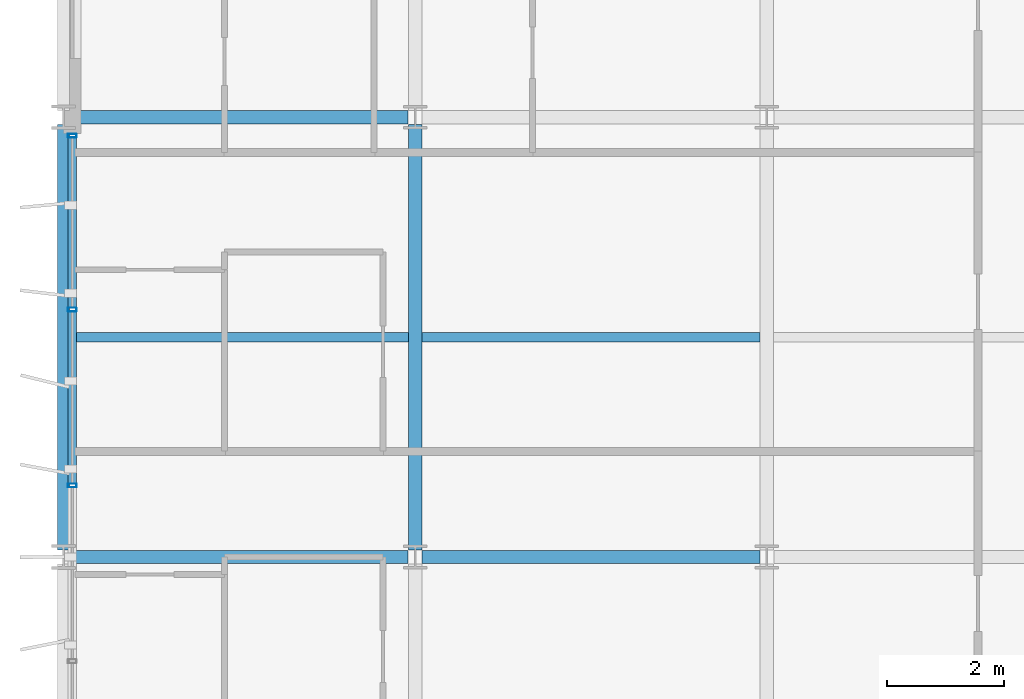
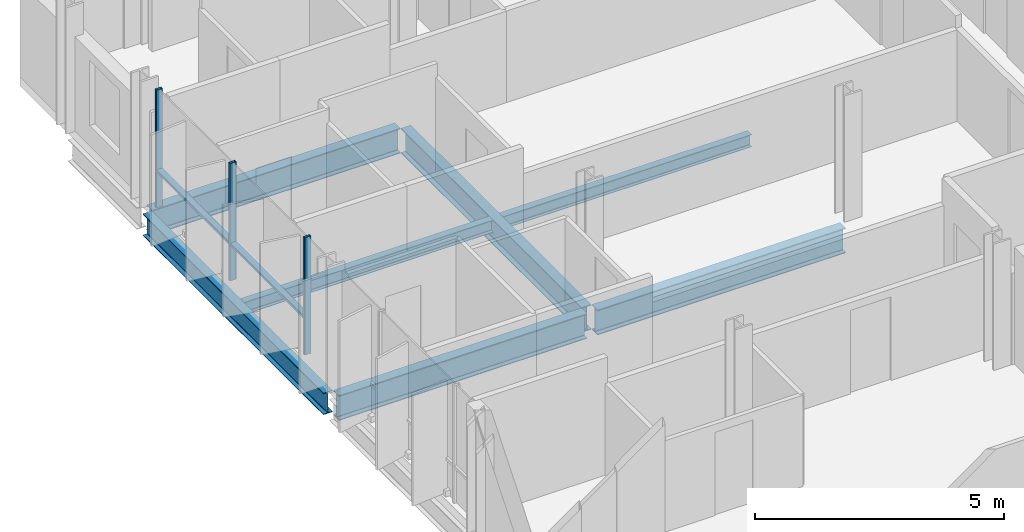
# One storey, part 7 of 39: 7 beams, 5 members, 1 element without a shape of its own.
"""IFC4 building model written with IfcOpenShell, lengths in metres."""

from ifc_helpers import new_model, si_unit, direction, frame, origin, origin_2d, place, context, subcontext, project, spatial, hollow_rectangle, i_section, extrude, material, layer, layer_set, material_profile, profile_set, type_object, element, aggregate, save


model = new_model("IFC4")

# Units and contexts
model_context = context("Model", 3, precision=1e-05, world=origin(), true_north=direction((0.0, 1.0)))
body_context = subcontext(model_context, "Body", "Model", "MODEL_VIEW")
ifc_project = project(units=[si_unit("LENGTHUNIT", "METRE"), si_unit("AREAUNIT", "SQUARE_METRE"), si_unit("VOLUMEUNIT", "CUBIC_METRE"), si_unit("PLANEANGLEUNIT", "RADIAN"), si_unit("MASSUNIT", "GRAM", prefix="KILO")], contexts=[model_context])

# Site, building, storey
site_placement = place(None, origin())
site = spatial("IfcSite", under=ifc_project, at=site_placement, CompositionType="ELEMENT")
building_placement = place(site_placement, origin())
building = spatial("IfcBuilding", under=site, at=building_placement, Name="Brevholm Reach", CompositionType="ELEMENT")
storey_placement = place(building_placement, frame((0.0, 0.0, 154.199951171875)))
storey = spatial("IfcBuildingStorey", under=building, at=storey_placement, Name="L46", CompositionType="ELEMENT", Elevation=154.199951171875)

# Beams
ifc_material_1 = material(Name="Structural Steel S355J2", Category="steel")
ifc_material_profile_1 = material_profile(ifc_material_1, i_section(OverallWidth=0.1650390625, OverallDepth=0.303466796875, WebThickness=0.006103515625, FlangeThickness=0.01025390625, FilletRadius=0.0087890625, at=origin_2d()), Name="UKB 305x165x40")
ifc_profile_set_1 = profile_set([ifc_material_profile_1], Name="Structural Steel S355J2")
beam_type_1 = type_object("IfcBeamType", Name="BM-B305", PredefinedType="BEAM", material=ifc_profile_set_1)
beam_1_placement = place(storey_placement, frame((0.104736328125, 19.75, -0.37158203125), z_axis=(1.0, 0.0, 0.0), x_axis=(0.0, 1.0, 0.0)))
element("IfcBeam", 1, at=beam_1_placement, inside=storey, type_object=beam_type_1, Name="L46 Composite Secondary Floor Beam", PredefinedType="BEAM", context=body_context, shape_type="SweptSolid", body=[
    extrude(i_section(OverallWidth=0.1650390625, OverallDepth=0.303466796875, WebThickness=0.006103515625, FlangeThickness=0.01025390625, FilletRadius=0.0087890625, at=origin_2d()), origin(), (0.0, 0.0, 1.0), 5.78076171875),
])
beam_2_placement = place(storey_placement, frame((6.114501953125, 19.75, -0.37158203125), z_axis=(1.0, 0.0, 0.0), x_axis=(0.0, 1.0, 0.0)))
element("IfcBeam", 2, at=beam_2_placement, inside=storey, type_object=beam_type_1, Name="L46 Composite Secondary Floor Beam", PredefinedType="BEAM", context=body_context, shape_type="SweptSolid", body=[
    extrude(i_section(OverallWidth=0.1650390625, OverallDepth=0.303466796875, WebThickness=0.006103515625, FlangeThickness=0.01025390625, FilletRadius=0.0087890625, at=origin_2d()), origin(), (0.0, 0.0, 1.0), 5.77099609375),
])
ifc_material_2 = material(Name="Structural Steel S355J2", Category="steel")
ifc_material_profile_2 = material_profile(ifc_material_2, i_section(OverallWidth=0.209228515625, OverallDepth=0.533203125, WebThickness=0.010009765625, FlangeThickness=0.015625, FilletRadius=0.0126953125, at=origin_2d()), Name="UKB 533x210x92")
ifc_profile_set_2 = profile_set([ifc_material_profile_2], Name="Structural Steel S355J2")
beam_type_2 = type_object("IfcBeamType", Name="BM-SP533", PredefinedType="SPANDREL", material=ifc_profile_set_2)
beam_3_placement = place(storey_placement, frame((0.0, 16.1201171875, -0.486572265625), z_axis=(0.0, 1.0, 0.0), x_axis=(-1.0, 0.0, 0.0)))
element("IfcBeam", 3, at=beam_3_placement, inside=storey, type_object=beam_type_2, Name="L46 SP-02 Framing Beam", PredefinedType="SPANDREL", context=body_context, shape_type="SweptSolid", body=[
    extrude(i_section(OverallWidth=0.209228515625, OverallDepth=0.533203125, WebThickness=0.010009765625, FlangeThickness=0.015625, FilletRadius=0.0126953125, at=origin_2d()), origin(), (0.0, 0.0, 1.0), 7.259765625),
])
ifc_material_3 = material(Name="Structural Steel S355J2", Category="steel")
ifc_material_profile_3 = material_profile(ifc_material_3, i_section(OverallWidth=0.22900390625, OverallDepth=0.6123046875, WebThickness=0.011962890625, FlangeThickness=0.01953125, FilletRadius=0.0126953125, at=origin_2d()), Name="UKB 610x229x125")
ifc_profile_set_3 = profile_set([ifc_material_profile_3], Name="Structural Steel S355J2")
beam_type_3 = type_object("IfcBeamType", Name="BM-SP610", PredefinedType="SPANDREL", material=ifc_profile_set_3)
for number, where, z_axis, x_axis, name in (
    (4, (0.1201171875, 16.0, -0.526123046875), (1.0, 0.0, 0.0), (0.0, 1.0, 0.0), "L46 SP-01 Framing Beam"),
    (5, (6.1201171875, 16.0, -0.526123046875), (1.0, 0.0, 0.0), (0.0, 1.0, 0.0), "L46 SP-01 Framing Beam"),
    (6, (0.1201171875, 23.5, -0.526123046875), (1.0, 0.0, 0.0), (0.0, 1.0, 0.0), "L46 SP-01 Framing Beam"),
):
    element("IfcBeam", number, at=place(storey_placement, frame(where, z_axis=z_axis, x_axis=x_axis)), inside=storey, type_object=beam_type_3, Name=name, PredefinedType="SPANDREL", context=body_context, shape_type="SweptSolid", body=[
        extrude(i_section(OverallWidth=0.22900390625, OverallDepth=0.6123046875, WebThickness=0.011962890625, FlangeThickness=0.01953125, FilletRadius=0.0126953125, at=origin_2d()), origin(), (0.0, 0.0, 1.0), 5.759765625),
    ])
beam_4_placement = place(storey_placement, frame((6.0, 16.1201171875, -0.526123046875), z_axis=(0.0, 1.0, 0.0), x_axis=(-1.0, 0.0, 0.0)))
element("IfcBeam", 7, at=beam_4_placement, inside=storey, type_object=beam_type_3, Name="L46 SP-01 Framing Beam", PredefinedType="SPANDREL", context=body_context, shape_type="SweptSolid", body=[
    extrude(i_section(OverallWidth=0.22900390625, OverallDepth=0.6123046875, WebThickness=0.011962890625, FlangeThickness=0.01953125, FilletRadius=0.0126953125, at=origin_2d()), origin(), (0.0, 0.0, 1.0), 7.259765625),
])

# Curtain wall, members
ifc_material_4 = material(Name="Dark Anodised Aluminium 6063-T6 and Solar-Control Glass", Category="aluminium")
ifc_layer = layer(ifc_material_4, 0.14990234375)
ifc_layer_set = layer_set([ifc_layer], Name="Dark Anodised Aluminium 6063-T6 and Solar-Control Glass")
curtain_wall_type = type_object("IfcCurtainWallType", Name="CW-01", PredefinedType="NOTDEFINED", material=ifc_layer_set)
curtain_wall_placement = place(storey_placement, origin())
curtain_wall = element("IfcCurtainWall", 8, at=curtain_wall_placement, inside=storey, type_object=curtain_wall_type, Name="L46 Curtain Wall CW-01", PredefinedType="NOTDEFINED")
ifc_material_5 = material(Name="Dark Anodised Aluminium 6063-T6", Category="aluminium")
ifc_material_profile_4 = material_profile(ifc_material_5, hollow_rectangle(XDim=0.06494140625, YDim=0.14990234375, WallThickness=0.0048828125, InnerFilletRadius=0.0048828125, OuterFilletRadius=0.010009765625, at=origin_2d()), Name="RHS 150x65x5")
ifc_profile_set_4 = profile_set([ifc_material_profile_4], Name="Dark Anodised Aluminium 6063-T6")
member_type_1 = type_object("IfcMemberType", Name="CWM-150", PredefinedType="MULLION", material=ifc_profile_set_4)
member_1_placement = place(storey_placement, frame((0.14990234375, 23.1875, 0.0), z_axis=(0.0, 0.0, 1.0), x_axis=(0.0, -1.0, 0.0)))
member_1 = element("IfcMember", 9, at=member_1_placement, type_object=member_type_1, Name="CM-150 Mullion 1", PredefinedType="MULLION", context=body_context, shape_type="SweptSolid", body=[
    extrude(hollow_rectangle(XDim=0.06494140625, YDim=0.14990234375, WallThickness=0.0048828125, InnerFilletRadius=0.0048828125, OuterFilletRadius=0.010009765625, at=origin_2d()), origin(), (0.0, 0.0, 1.0), 2.880126953125),
])
member_2_placement = place(storey_placement, frame((0.14990234375, 20.219970703125, 0.0), z_axis=(0.0, 0.0, 1.0), x_axis=(0.0, -1.0, 0.0)))
member_2 = element("IfcMember", 10, at=member_2_placement, type_object=member_type_1, Name="CM-150 Mullion 2", PredefinedType="MULLION", context=body_context, shape_type="SweptSolid", body=[
    extrude(hollow_rectangle(XDim=0.06494140625, YDim=0.14990234375, WallThickness=0.0048828125, InnerFilletRadius=0.0048828125, OuterFilletRadius=0.010009765625, at=origin_2d()), origin(), (0.0, 0.0, 1.0), 2.880126953125),
])
member_3_placement = place(storey_placement, frame((0.14990234375, 17.219970703125, 0.0), z_axis=(0.0, 0.0, 1.0), x_axis=(0.0, -1.0, 0.0)))
member_3 = element("IfcMember", 11, at=member_3_placement, type_object=member_type_1, Name="CM-150 Mullion 3", PredefinedType="MULLION", context=body_context, shape_type="SweptSolid", body=[
    extrude(hollow_rectangle(XDim=0.06494140625, YDim=0.14990234375, WallThickness=0.0048828125, InnerFilletRadius=0.0048828125, OuterFilletRadius=0.010009765625, at=origin_2d()), origin(), (0.0, 0.0, 1.0), 2.880126953125),
])
ifc_material_6 = material(Name="Dark Anodised Aluminium 6063-T6", Category="aluminium")
ifc_material_profile_5 = material_profile(ifc_material_6, hollow_rectangle(XDim=0.06494140625, YDim=0.14990234375, WallThickness=0.0048828125, InnerFilletRadius=0.0048828125, OuterFilletRadius=0.010009765625, at=origin_2d()), Name="RHS 150x65x5")
ifc_profile_set_5 = profile_set([ifc_material_profile_5], Name="Dark Anodised Aluminium 6063-T6")
member_type_2 = type_object("IfcMemberType", Name="CWT-150", PredefinedType="NOTDEFINED", material=ifc_profile_set_5)
member_4_placement = place(storey_placement, frame((0.14990234375, 23.155029296875, 0.900146484375), z_axis=(0.0, -1.0, 0.0), x_axis=(0.0, 0.0, 1.0)))
member_4 = element("IfcMember", 12, at=member_4_placement, type_object=member_type_2, Name="CT-150 Transom 1.1", ObjectType="TRANSOM", PredefinedType="USERDEFINED", context=body_context, shape_type="SweptSolid", body=[
    extrude(hollow_rectangle(XDim=0.06494140625, YDim=0.14990234375, WallThickness=0.0048828125, InnerFilletRadius=0.0048828125, OuterFilletRadius=0.010009765625, at=origin_2d()), origin(), (0.0, 0.0, 1.0), 2.902587890625),
])
member_5_placement = place(storey_placement, frame((0.14990234375, 20.1875, 0.900146484375), z_axis=(0.0, -1.0, 0.0), x_axis=(0.0, 0.0, 1.0)))
member_5 = element("IfcMember", 13, at=member_5_placement, type_object=member_type_2, Name="CT-150 Transom 2.1", ObjectType="TRANSOM", PredefinedType="USERDEFINED", context=body_context, shape_type="SweptSolid", body=[
    extrude(hollow_rectangle(XDim=0.06494140625, YDim=0.14990234375, WallThickness=0.0048828125, InnerFilletRadius=0.0048828125, OuterFilletRadius=0.010009765625, at=origin_2d()), origin(), (0.0, 0.0, 1.0), 2.93505859375),
])
aggregate(curtain_wall, [member_1, member_2, member_3, member_4, member_5])

save(model, "model.ifc")
